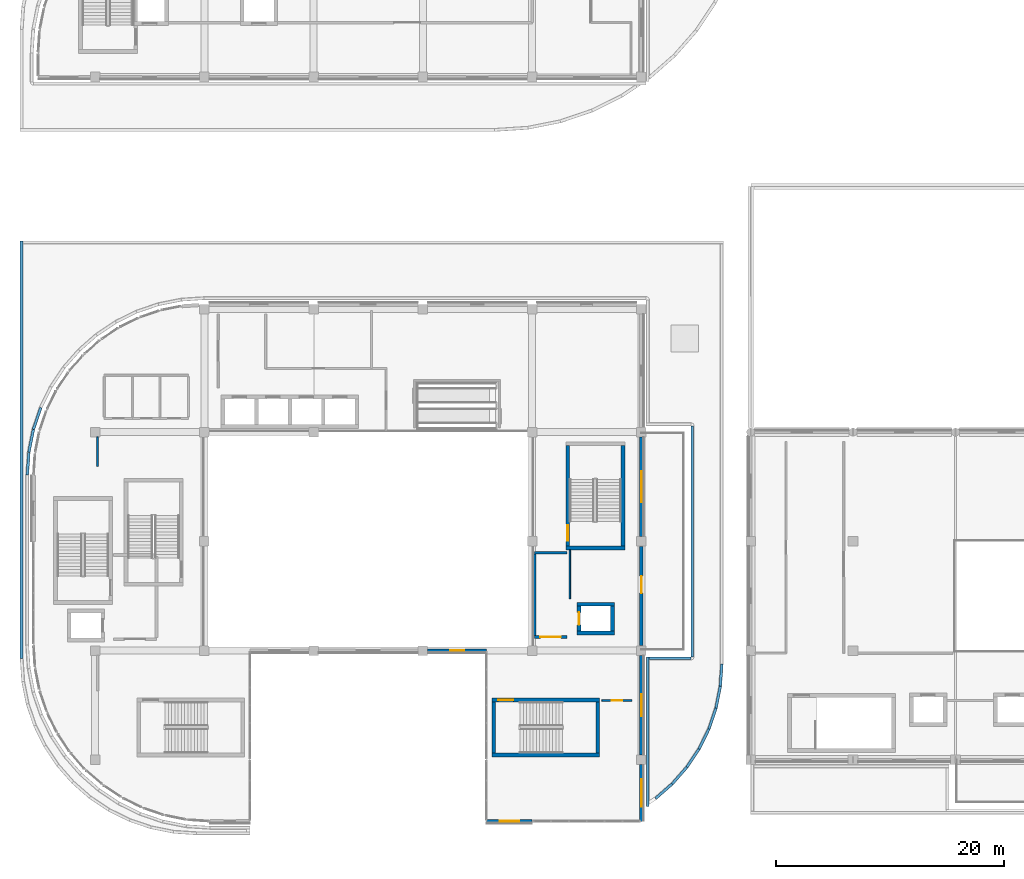
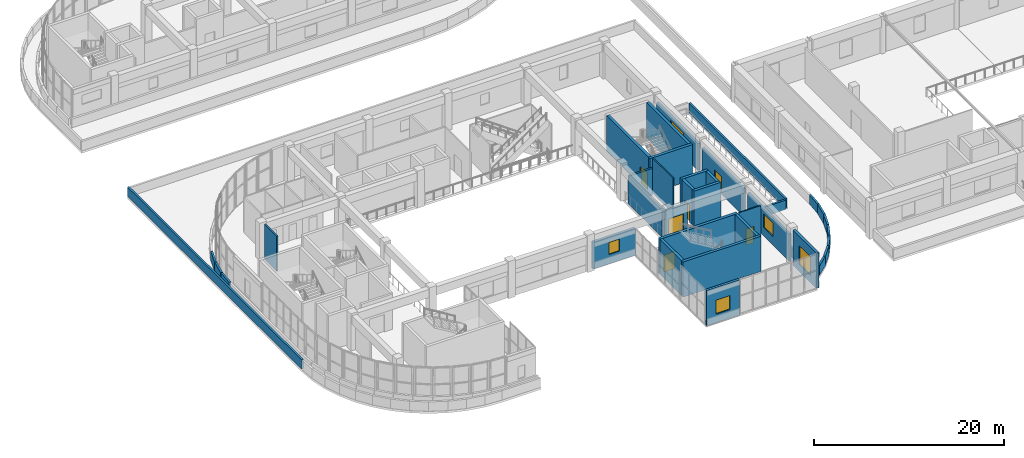
# One storey, part 42 of 67: 37 walls, 6 doors, 5 windows, 11 openings.
"""IFC4 building model written with IfcOpenShell, lengths in metres."""

from ifc_helpers import new_model, si_unit, direction, frame, frame_2d, origin, place, context, subcontext, project, spatial, rectangle, extrude, material, layer, layer_set, type_object, element, fill, save


model = new_model("IFC4")

# Units and contexts
model_context = context("Model", 3, precision=1e-05, world=origin(), true_north=direction((0.0, 1.0)))
body_context = subcontext(model_context, "Body", "Model", "MODEL_VIEW")
ifc_project = project(units=[si_unit("LENGTHUNIT", "METRE"), si_unit("AREAUNIT", "SQUARE_METRE"), si_unit("VOLUMEUNIT", "CUBIC_METRE"), si_unit("PLANEANGLEUNIT", "RADIAN"), si_unit("MASSUNIT", "GRAM", prefix="KILO")], contexts=[model_context])

# Site, building, storey
site_placement = place(None, origin())
site = spatial("IfcSite", under=ifc_project, at=site_placement, CompositionType="ELEMENT")
building_placement = place(site_placement, origin())
building = spatial("IfcBuilding", under=site, at=building_placement, Name="Cendralis Terraced Arcade", CompositionType="ELEMENT")
storey_placement = place(building_placement, frame((0.0, 0.0, 15.0)))
storey = spatial("IfcBuildingStorey", under=building, at=storey_placement, Name="L03", CompositionType="ELEMENT", Elevation=15.0)

# Wall
ifc_material_1 = material(Name="Concrete f'c 42 MPa", Category="concrete")
ifc_layer_1 = layer(ifc_material_1, 0.340087890625, Name="WL-CORE-340")
ifc_layer_set_1 = layer_set([ifc_layer_1], Name="Concrete f'c 42 MPa")
wall_type_1 = type_object("IfcWallType", Name="WL-CORE-340", PredefinedType="SHEAR", material=ifc_layer_set_1)
wall_1_placement = place(storey_placement, frame((44.4599609375, 10.030029296875, 0.0), z_axis=(0.0, 0.0, 1.0), x_axis=(1.0, 0.0, 0.0)))
element("IfcWall", 1, at=wall_1_placement, inside=storey, type_object=wall_type_1, Name="Stair Core Reinforced Concrete Shear Wall SW-ST-03-L03-S", PredefinedType="SHEAR", context=body_context, shape_type="SweptSolid", body=[
    extrude(rectangle(XDim=9.47998046875, YDim=0.340087890625, at=frame_2d((4.739990234375, 0.0))), origin(), (0.0, 0.0, 1.0), 4.52001953125),
])

# Wall, opening, door
wall_2_placement = place(storey_placement, frame((44.4599609375, 14.8701171875, 0.0), z_axis=(0.0, 0.0, 1.0), x_axis=(1.0, 0.0, 0.0)))
wall_2 = element("IfcWall", 2, at=wall_2_placement, inside=storey, type_object=wall_type_1, Name="Stair Core Reinforced Concrete Shear Wall SW-ST-03-L03-N", PredefinedType="SHEAR", context=body_context, shape_type="SweptSolid", body=[
    extrude(rectangle(XDim=9.47998046875, YDim=0.340087890625, at=frame_2d((4.739990234375, 0.0))), origin(), (0.0, 0.0, 1.0), 4.52001953125),
])
opening_1_placement = place(wall_2_placement, frame((0.550048828125, 0.0, 0.0)))
opening_1 = element("IfcOpeningElement", 3, at=opening_1_placement, cuts=wall_2, Name="Opening D-ST-03-L03", PredefinedType="OPENING", context=body_context, shape_type="SweptSolid", body=[
    extrude(rectangle(XDim=1.35009765625, YDim=2.199951171875, at=frame_2d((0.675048828125, 1.10009765625))), frame((0.0, 0.18212890625, 0.0), z_axis=(0.0, -1.0, 0.0), x_axis=(1.0, 0.0, 0.0)), (0.0, 0.0, 1.0), 0.364013671875),
])
ifc_material_2 = material(Name="Galvanised fire-rated steel door assembly", Category="steel")
door_type_1 = type_object("IfcDoorType", Name="ID-ST-1350x2200", OperationType="NOTDEFINED", PredefinedType="DOOR", material=ifc_material_2)
door_1_placement = place(opening_1_placement, frame((1.35009765625, 0.0, 0.0), z_axis=(0.0, 0.0, 1.0), x_axis=(-1.0, 0.0, 0.0)))
door_1 = element("IfcDoor", 4, at=door_1_placement, inside=storey, type_object=door_type_1, Name="Protected Stair ST-03 Fire Door (L03)", OperationType="SINGLE_SWING_LEFT", OverallHeight=2.199951171875, OverallWidth=1.35009765625, PredefinedType="DOOR", context=body_context, shape_type="SweptSolid", body=[
    extrude(rectangle(XDim=1.35009765625, YDim=2.199951171875, at=frame_2d((0.675048828125, 1.10009765625))), frame((0.0, 0.02490234375, 0.0), z_axis=(0.0, -1.0, 0.0), x_axis=(1.0, 0.0, 0.0)), (0.0, 0.0, 1.0), 0.050048828125),
])
fill(opening_1, door_1)

# Walls
for number, where, z_axis, x_axis, name in (
    (5, (53.77001953125, 10.199951171875, 0.0), (0.0, 0.0, 1.0), (0.0, 1.0, 0.0), "Stair Core Reinforced Concrete Shear Wall SW-ST-03-L03-E"),
    (6, (44.6298828125, 10.199951171875, 0.0), (0.0, 0.0, 1.0), (0.0, 1.0, 0.0), "Stair Core Reinforced Concrete Shear Wall SW-ST-03-L03-W"),
):
    element("IfcWall", number, at=place(storey_placement, frame(where, z_axis=z_axis, x_axis=x_axis)), inside=storey, type_object=wall_type_1, Name=name, PredefinedType="SHEAR", context=body_context, shape_type="SweptSolid", body=[
        extrude(rectangle(XDim=4.5, YDim=0.340087890625, at=frame_2d((2.25, 0.0))), origin(), (0.0, 0.0, 1.0), 4.52001953125),
    ])
wall_3_placement = place(storey_placement, frame((50.9599609375, 28.22998046875, 0.0), z_axis=(0.0, 0.0, 1.0), x_axis=(1.0, 0.0, 0.0)))
element("IfcWall", 7, at=wall_3_placement, inside=storey, type_object=wall_type_1, Name="Stair Core Reinforced Concrete Shear Wall SW-ST-04-L03-S", PredefinedType="SHEAR", context=body_context, shape_type="SweptSolid", body=[
    extrude(rectangle(XDim=5.179931640625, YDim=0.340087890625, at=frame_2d((2.58984375, 0.0))), origin(), (0.0, 0.0, 1.0), 4.52001953125),
])
wall_4_placement = place(storey_placement, frame((55.969970703125, 28.39990234375, 0.0), z_axis=(0.0, 0.0, 1.0), x_axis=(0.0, 1.0, 0.0)))
element("IfcWall", 8, at=wall_4_placement, inside=storey, type_object=wall_type_1, Name="Stair Core Reinforced Concrete Shear Wall SW-ST-04-L03-E", PredefinedType="SHEAR", context=body_context, shape_type="SweptSolid", body=[
    extrude(rectangle(XDim=8.800048828125, YDim=0.340087890625, at=frame_2d((4.39990234375, 0.0))), origin(), (0.0, 0.0, 1.0), 4.52001953125),
])

# Wall, opening, door
wall_5_placement = place(storey_placement, frame((51.1298828125, 28.39990234375, 0.0), z_axis=(0.0, 0.0, 1.0), x_axis=(0.0, 1.0, 0.0)))
wall_5 = element("IfcWall", 9, at=wall_5_placement, inside=storey, type_object=wall_type_1, Name="Stair Core Reinforced Concrete Shear Wall SW-ST-04-L03-W", PredefinedType="SHEAR", context=body_context, shape_type="SweptSolid", body=[
    extrude(rectangle(XDim=8.800048828125, YDim=0.340087890625, at=frame_2d((4.39990234375, 0.0))), origin(), (0.0, 0.0, 1.0), 4.52001953125),
])
opening_2_placement = place(wall_5_placement, frame((0.449951171875, 0.0, 0.0)))
opening_2 = element("IfcOpeningElement", 10, at=opening_2_placement, cuts=wall_5, Name="Opening D-ST-04-L03", PredefinedType="OPENING", context=body_context, shape_type="SweptSolid", body=[
    extrude(rectangle(XDim=1.35009765625, YDim=2.199951171875, at=frame_2d((0.675048828125, 1.10009765625))), frame((0.0, 0.18212890625, 0.0), z_axis=(0.0, -1.0, 0.0), x_axis=(1.0, 0.0, 0.0)), (0.0, 0.0, 1.0), 0.364013671875),
])
door_2_placement = place(opening_2_placement, frame((1.35009765625, 0.0, 0.0), z_axis=(0.0, 0.0, 1.0), x_axis=(-1.0, 0.0, 0.0)))
door_2 = element("IfcDoor", 11, at=door_2_placement, inside=storey, type_object=door_type_1, Name="Protected Stair ST-04 Fire Door (L03)", OperationType="SINGLE_SWING_LEFT", OverallHeight=2.199951171875, OverallWidth=1.35009765625, PredefinedType="DOOR", context=body_context, shape_type="SweptSolid", body=[
    extrude(rectangle(XDim=1.35009765625, YDim=2.199951171875, at=frame_2d((0.675048828125, 1.10009765625))), frame((0.0, 0.02490234375, 0.0), z_axis=(0.0, -1.0, 0.0), x_axis=(1.0, 0.0, 0.0)), (0.0, 0.0, 1.0), 0.050048828125),
])
fill(opening_2, door_2)

# Walls
for number, where, z_axis, x_axis, name in (
    (12, (51.9599609375, 20.72998046875, 0.0), (0.0, 0.0, 1.0), (1.0, 0.0, 0.0), "Lift FFL-02 Reinforced Concrete Shaft Wall (L03)"),
    (13, (51.9599609375, 23.27001953125, 0.0), (0.0, 0.0, 1.0), (1.0, 0.0, 0.0), "Lift FFL-02 Reinforced Concrete Shaft Wall (L03)"),
):
    element("IfcWall", number, at=place(storey_placement, frame(where, z_axis=z_axis, x_axis=x_axis)), inside=storey, type_object=wall_type_1, Name=name, PredefinedType="SHEAR", context=body_context, shape_type="SweptSolid", body=[
        extrude(rectangle(XDim=3.280029296875, YDim=0.340087890625, at=frame_2d((1.64013671875, 0.0))), origin(), (0.0, 0.0, 1.0), 4.52001953125),
    ])

# Wall, opening, door
wall_6_placement = place(storey_placement, frame((52.1298828125, 20.89990234375, 0.0), z_axis=(0.0, 0.0, 1.0), x_axis=(0.0, 1.0, 0.0)))
wall_6 = element("IfcWall", 14, at=wall_6_placement, inside=storey, type_object=wall_type_1, Name="Lift FFL-02 Reinforced Concrete Shaft Wall (L03)", PredefinedType="SHEAR", context=body_context, shape_type="SweptSolid", body=[
    extrude(rectangle(XDim=2.2001953125, YDim=0.340087890625, at=frame_2d((1.10009765625, 0.0))), origin(), (0.0, 0.0, 1.0), 4.52001953125),
])
opening_3_placement = place(wall_6_placement, frame((0.550048828125, 0.0, 0.0)))
opening_3 = element("IfcOpeningElement", 15, at=opening_3_placement, cuts=wall_6, Name="Opening LD-FFL-02-L03", PredefinedType="OPENING", context=body_context, shape_type="SweptSolid", body=[
    extrude(rectangle(XDim=1.10009765625, YDim=2.14990234375, at=frame_2d((0.550048828125, 1.074951171875))), frame((0.0, 0.18212890625, 0.0), z_axis=(0.0, -1.0, 0.0), x_axis=(1.0, 0.0, 0.0)), (0.0, 0.0, 1.0), 0.364013671875),
])
ifc_material_3 = material(Name="Anodised aluminium sliding door assembly", Category="aluminium")
door_type_2 = type_object("IfcDoorType", Name="ID-LD-FF-1100x2150", OperationType="DOUBLE_DOOR_SLIDING", PredefinedType="DOOR", material=ifc_material_3)
door_3_placement = place(opening_3_placement, origin())
door_3 = element("IfcDoor", 16, at=door_3_placement, inside=storey, type_object=door_type_2, Name="Lift FFL-02 Sliding Landing Door (L03)", OperationType="DOUBLE_DOOR_SLIDING", OverallHeight=2.14990234375, OverallWidth=1.10009765625, PredefinedType="DOOR", context=body_context, shape_type="SweptSolid", body=[
    extrude(rectangle(XDim=1.10009765625, YDim=2.14990234375, at=frame_2d((0.550048828125, 1.074951171875))), frame((0.0, 0.02490234375, 0.0), z_axis=(0.0, -1.0, 0.0), x_axis=(1.0, 0.0, 0.0)), (0.0, 0.0, 1.0), 0.050048828125),
])
fill(opening_3, door_3)

# Wall
wall_7_placement = place(storey_placement, frame((55.070068359375, 20.89990234375, 0.0), z_axis=(0.0, 0.0, 1.0), x_axis=(0.0, 1.0, 0.0)))
element("IfcWall", 17, at=wall_7_placement, inside=storey, type_object=wall_type_1, Name="Lift FFL-02 Reinforced Concrete Shaft Wall (L03)", PredefinedType="SHEAR", context=body_context, shape_type="SweptSolid", body=[
    extrude(rectangle(XDim=2.2001953125, YDim=0.340087890625, at=frame_2d((1.10009765625, 0.0))), origin(), (0.0, 0.0, 1.0), 4.52001953125),
])

# Wall, opening, window
ifc_material_4 = material(Name="Precast concrete f'c 40 MPa", Category="concrete")
ifc_layer_2 = layer(ifc_material_4, 0.300048828125, Name="WL-EXT-GRC-300")
ifc_layer_set_2 = layer_set([ifc_layer_2], Name="Precast concrete f'c 40 MPa")
wall_type_2 = type_object("IfcWallType", Name="WL-EXT-GRC-300", PredefinedType="SOLIDWALL", material=ifc_layer_set_2)
wall_8_placement = place(storey_placement, frame((57.60009765625, 37.97705078125, 0.0), z_axis=(0.0, 0.0, 1.0), x_axis=(0.0, -1.0, 0.0)))
wall_8 = element("IfcWall", 18, at=wall_8_placement, inside=storey, type_object=wall_type_2, Name="Exterior Architectural Wall EW-L03-0264", PredefinedType="SOLIDWALL", context=body_context, shape_type="SweptSolid", body=[
    extrude(rectangle(XDim=8.754150390625, YDim=0.300048828125, at=frame_2d((4.376953125, 0.0))), origin(), (0.0, 0.0, 1.0), 3.4599609375),
])
opening_4_placement = place(wall_8_placement, frame((3.027099609375, 0.0, 1.0)))
opening_4 = element("IfcOpeningElement", 19, at=opening_4_placement, cuts=wall_8, Name="Opening W-25", PredefinedType="OPENING", context=body_context, shape_type="SweptSolid", body=[
    extrude(rectangle(XDim=2.699951171875, YDim=2.0, at=frame_2d((1.35009765625, 1.0))), frame((0.0, 0.162109375, 0.0), z_axis=(0.0, -1.0, 0.0), x_axis=(1.0, 0.0, 0.0)), (0.0, 0.0, 1.0), 0.323974609375),
])
ifc_material_5 = material(Name="Tempered solar control laminated glass", Category="glass")
window_type_1 = type_object("IfcWindowType", Name="WN-F3-2700x2000", PartitioningType="SINGLE_PANEL", PredefinedType="WINDOW", material=ifc_material_5)
window_1_placement = place(opening_4_placement, origin())
window_1 = element("IfcWindow", 20, at=window_1_placement, inside=storey, type_object=window_type_1, Name="Exterior Solar-Control Window WN-L03-0172", OverallHeight=2.0, OverallWidth=2.699951171875, PartitioningType="SINGLE_PANEL", PredefinedType="WINDOW", context=body_context, shape_type="SweptSolid", body=[
    extrude(rectangle(XDim=2.699951171875, YDim=2.0, at=frame_2d((1.35009765625, 1.0))), frame((0.0, 0.030029296875, 0.0), z_axis=(0.0, -1.0, 0.0), x_axis=(1.0, 0.0, 0.0)), (0.0, 0.0, 1.0), 0.06005859375),
])
fill(opening_4, window_1)

# Wall, opening, door
wall_9_placement = place(storey_placement, frame((57.60009765625, 28.35009765625, 0.0), z_axis=(0.0, 0.0, 1.0), x_axis=(0.0, -1.0, 0.0)))
wall_9 = element("IfcWall", 21, at=wall_9_placement, inside=storey, type_object=wall_type_2, Name="Exterior Architectural Wall EW-L03-0265", PredefinedType="SOLIDWALL", context=body_context, shape_type="SweptSolid", body=[
    extrude(rectangle(XDim=8.7001953125, YDim=0.300048828125, at=frame_2d((4.35009765625, 0.0))), origin(), (0.0, 0.0, 1.0), 3.4599609375),
])
opening_5_placement = place(wall_9_placement, frame((2.60009765625, 0.0, 0.0)))
opening_5 = element("IfcOpeningElement", 22, at=opening_5_placement, cuts=wall_9, Name="Opening TD-L03-04", PredefinedType="OPENING", context=body_context, shape_type="SweptSolid", body=[
    extrude(rectangle(XDim=1.5, YDim=2.25, at=frame_2d((0.75, 1.125))), frame((0.0, 0.162109375, 0.0), z_axis=(0.0, -1.0, 0.0), x_axis=(1.0, 0.0, 0.0)), (0.0, 0.0, 1.0), 0.323974609375),
])
ifc_material_6 = material(Name="Powder-coated thermally broken aluminium and glass", Category="aluminium")
door_type_3 = type_object("IfcDoorType", Name="ED-TER-1500x2250", OperationType="DOUBLE_DOOR_SINGLE_SWING", PredefinedType="DOOR", material=ifc_material_6)
door_4_placement = place(opening_5_placement, origin())
door_4 = element("IfcDoor", 23, at=door_4_placement, inside=storey, type_object=door_type_3, Name="Planted Terrace Access Door TD-L03-04", OperationType="DOUBLE_DOOR_SINGLE_SWING", OverallHeight=2.25, OverallWidth=1.5, PredefinedType="DOOR", context=body_context, shape_type="SweptSolid", body=[
    extrude(rectangle(XDim=1.5, YDim=2.25, at=frame_2d((0.75, 1.125))), frame((0.0, 0.02490234375, 0.0), z_axis=(0.0, -1.0, 0.0), x_axis=(1.0, 0.0, 0.0)), (0.0, 0.0, 1.0), 0.050048828125),
])
fill(opening_5, door_4)

# Wall, opening, window
wall_10_placement = place(storey_placement, frame((57.60009765625, 18.777099609375, 0.0), z_axis=(0.0, 0.0, 1.0), x_axis=(0.0, -1.0, 0.0)))
wall_10 = element("IfcWall", 24, at=wall_10_placement, inside=storey, type_object=wall_type_2, Name="Exterior Architectural Wall EW-L03-0266", PredefinedType="SOLIDWALL", context=body_context, shape_type="SweptSolid", body=[
    extrude(rectangle(XDim=8.754150390625, YDim=0.300048828125, at=frame_2d((4.376953125, 0.0))), origin(), (0.0, 0.0, 1.0), 3.4599609375),
])
opening_6_placement = place(wall_10_placement, frame((3.402099609375, 0.0, 1.10009765625)))
opening_6 = element("IfcOpeningElement", 25, at=opening_6_placement, cuts=wall_10, Name="Opening W-27", PredefinedType="OPENING", context=body_context, shape_type="SweptSolid", body=[
    extrude(rectangle(XDim=1.949951171875, YDim=1.75, at=frame_2d((0.97509765625, 0.875))), frame((0.0, 0.162109375, 0.0), z_axis=(0.0, -1.0, 0.0), x_axis=(1.0, 0.0, 0.0)), (0.0, 0.0, 1.0), 0.323974609375),
])
window_type_2 = type_object("IfcWindowType", Name="WN-F3-1950x1750", PartitioningType="SINGLE_PANEL", PredefinedType="WINDOW", material=ifc_material_5)
window_2_placement = place(opening_6_placement, origin())
window_2 = element("IfcWindow", 26, at=window_2_placement, inside=storey, type_object=window_type_2, Name="Exterior Solar-Control Window WN-L03-0173", OverallHeight=1.75, OverallWidth=1.949951171875, PartitioningType="SINGLE_PANEL", PredefinedType="WINDOW", context=body_context, shape_type="SweptSolid", body=[
    extrude(rectangle(XDim=1.949951171875, YDim=1.75, at=frame_2d((0.97509765625, 0.875))), frame((0.0, 0.030029296875, 0.0), z_axis=(0.0, -1.0, 0.0), x_axis=(1.0, 0.0, 0.0)), (0.0, 0.0, 1.0), 0.06005859375),
])
fill(opening_6, window_2)

wall_11_placement = place(storey_placement, frame((57.60009765625, 9.177001953125, 0.0), z_axis=(0.0, 0.0, 1.0), x_axis=(0.0, -1.0, 0.0)))
wall_11 = element("IfcWall", 27, at=wall_11_placement, inside=storey, type_object=wall_type_2, Name="Exterior Architectural Wall EW-L03-0267", PredefinedType="SOLIDWALL", context=body_context, shape_type="SweptSolid", body=[
    extrude(rectangle(XDim=4.97705078125, YDim=0.300048828125, at=frame_2d((2.488525390625, 0.0))), origin(), (0.0, 0.0, 1.0), 4.52001953125),
])
opening_7_placement = place(wall_11_placement, frame((1.28857421875, 0.0, 0.89990234375)))
opening_7 = element("IfcOpeningElement", 28, at=opening_7_placement, cuts=wall_11, Name="Opening W-01", PredefinedType="OPENING", context=body_context, shape_type="SweptSolid", body=[
    extrude(rectangle(XDim=2.39990234375, YDim=2.39990234375, at=frame_2d((1.199951171875, 1.199951171875))), frame((0.0, 0.162109375, 0.0), z_axis=(0.0, -1.0, 0.0), x_axis=(1.0, 0.0, 0.0)), (0.0, 0.0, 1.0), 0.323974609375),
])
window_type_3 = type_object("IfcWindowType", Name="WN-F1-2400x2400", PartitioningType="SINGLE_PANEL", PredefinedType="WINDOW", material=ifc_material_5)
window_3_placement = place(opening_7_placement, origin())
window_3 = element("IfcWindow", 29, at=window_3_placement, inside=storey, type_object=window_type_3, Name="Exterior Solar-Control Window WN-L03-0174", OverallHeight=2.39990234375, OverallWidth=2.39990234375, PartitioningType="SINGLE_PANEL", PredefinedType="WINDOW", context=body_context, shape_type="SweptSolid", body=[
    extrude(rectangle(XDim=2.39990234375, YDim=2.39990234375, at=frame_2d((1.199951171875, 1.199951171875))), frame((0.0, 0.030029296875, 0.0), z_axis=(0.0, -1.0, 0.0), x_axis=(1.0, 0.0, 0.0)), (0.0, 0.0, 1.0), 0.06005859375),
])
fill(opening_7, window_3)

wall_12_placement = place(storey_placement, frame((48.0, 4.199951171875, 0.0), z_axis=(0.0, 0.0, 1.0), x_axis=(-1.0, 0.0, 0.0)))
wall_12 = element("IfcWall", 30, at=wall_12_placement, inside=storey, type_object=wall_type_2, Name="Exterior Architectural Wall EW-L03-0268", PredefinedType="SOLIDWALL", context=body_context, shape_type="SweptSolid", body=[
    extrude(rectangle(XDim=4.0, YDim=0.300048828125, at=frame_2d((2.0, 0.0))), origin(), (0.0, 0.0, 1.0), 4.52001953125),
])
opening_8_placement = place(wall_12_placement, frame((1.14990234375, 0.0, 1.10009765625)))
opening_8 = element("IfcOpeningElement", 31, at=opening_8_placement, cuts=wall_12, Name="Opening W-14", PredefinedType="OPENING", context=body_context, shape_type="SweptSolid", body=[
    extrude(rectangle(XDim=1.699951171875, YDim=1.800048828125, at=frame_2d((0.85009765625, 0.89990234375))), frame((0.0, 0.162109375, 0.0), z_axis=(0.0, -1.0, 0.0), x_axis=(1.0, 0.0, 0.0)), (0.0, 0.0, 1.0), 0.323974609375),
])
window_type_4 = type_object("IfcWindowType", Name="WN-F2-1700x1800", PartitioningType="SINGLE_PANEL", PredefinedType="WINDOW", material=ifc_material_5)
window_4_placement = place(opening_8_placement, origin())
window_4 = element("IfcWindow", 32, at=window_4_placement, inside=storey, type_object=window_type_4, Name="Exterior Solar-Control Window WN-L03-0175", OverallHeight=1.800048828125, OverallWidth=1.699951171875, PartitioningType="SINGLE_PANEL", PredefinedType="WINDOW", context=body_context, shape_type="SweptSolid", body=[
    extrude(rectangle(XDim=1.699951171875, YDim=1.800048828125, at=frame_2d((0.85009765625, 0.89990234375))), frame((0.0, 0.030029296875, 0.0), z_axis=(0.0, -1.0, 0.0), x_axis=(1.0, 0.0, 0.0)), (0.0, 0.0, 1.0), 0.06005859375),
])
fill(opening_8, window_4)

wall_13_placement = place(storey_placement, frame((44.0, 19.199951171875, 0.0), z_axis=(0.0, 0.0, 1.0), x_axis=(-1.0, 0.0, 0.0)))
wall_13 = element("IfcWall", 33, at=wall_13_placement, inside=storey, type_object=wall_type_2, Name="Exterior Architectural Wall EW-L03-0269", PredefinedType="SOLIDWALL", context=body_context, shape_type="SweptSolid", body=[
    extrude(rectangle(XDim=5.177001953125, YDim=0.300048828125, at=frame_2d((2.58837890625, 0.0))), origin(), (0.0, 0.0, 1.0), 3.4599609375),
])
opening_9_placement = place(wall_13_placement, frame((1.96337890625, 0.0, 1.199951171875)))
opening_9 = element("IfcOpeningElement", 34, at=opening_9_placement, cuts=wall_13, Name="Opening W-30", PredefinedType="OPENING", context=body_context, shape_type="SweptSolid", body=[
    extrude(rectangle(XDim=1.25, YDim=1.550048828125, at=frame_2d((0.625, 0.77490234375))), frame((0.0, 0.162109375, 0.0), z_axis=(0.0, -1.0, 0.0), x_axis=(1.0, 0.0, 0.0)), (0.0, 0.0, 1.0), 0.323974609375),
])
window_type_5 = type_object("IfcWindowType", Name="WN-F3-1250x1550", PartitioningType="SINGLE_PANEL", PredefinedType="WINDOW", material=ifc_material_5)
window_5_placement = place(opening_9_placement, origin())
window_5 = element("IfcWindow", 35, at=window_5_placement, inside=storey, type_object=window_type_5, Name="Exterior Solar-Control Window WN-L03-0176", OverallHeight=1.550048828125, OverallWidth=1.25, PartitioningType="SINGLE_PANEL", PredefinedType="WINDOW", context=body_context, shape_type="SweptSolid", body=[
    extrude(rectangle(XDim=1.25, YDim=1.550048828125, at=frame_2d((0.625, 0.77490234375))), frame((0.0, 0.030029296875, 0.0), z_axis=(0.0, -1.0, 0.0), x_axis=(1.0, 0.0, 0.0)), (0.0, 0.0, 1.0), 0.06005859375),
])
fill(opening_9, window_5)

# Wall, opening, door
ifc_material_7 = material(Name="Autoclaved aerated concrete blockwork", Category="masonry")
ifc_layer_3 = layer(ifc_material_7, 0.25, Name="WL-FFL-250")
ifc_layer_set_3 = layer_set([ifc_layer_3], Name="Autoclaved aerated concrete blockwork")
wall_type_3 = type_object("IfcWallType", Name="WL-FFL-250", PredefinedType="PARTITIONING", material=ifc_layer_set_3)
wall_14_placement = place(storey_placement, frame((48.199951171875, 20.39990234375, 0.0), z_axis=(0.0, 0.0, 1.0), x_axis=(1.0, 0.0, 0.0)))
wall_14 = element("IfcWall", 36, at=wall_14_placement, inside=storey, type_object=wall_type_3, Name="Firefighting Lift Lobby FFL-02 Rated Wall S (L03)", PredefinedType="PARTITIONING", context=body_context, shape_type="SweptSolid", body=[
    extrude(rectangle(XDim=2.85009765625, YDim=0.25, at=frame_2d((1.425048828125, 0.0))), origin(), (0.0, 0.0, 1.0), 3.4599609375),
])
opening_10_placement = place(wall_14_placement, frame((0.52001953125, 0.0, 0.0)))
opening_10 = element("IfcOpeningElement", 37, at=opening_10_placement, cuts=wall_14, Name="Opening D-FFL-02-L03-S", PredefinedType="OPENING", context=body_context, shape_type="SweptSolid", body=[
    extrude(rectangle(XDim=1.800048828125, YDim=2.25, at=frame_2d((0.89990234375, 1.125))), frame((0.0, 0.136962890625, 0.0), z_axis=(0.0, -1.0, 0.0), x_axis=(1.0, 0.0, 0.0)), (0.0, 0.0, 1.0), 0.27392578125),
])
door_type_4 = type_object("IfcDoorType", Name="ID-FFL-1800x2250", OperationType="DOUBLE_DOOR_SINGLE_SWING", PredefinedType="DOOR", material=ifc_material_2)
door_5_placement = place(opening_10_placement, origin())
door_5 = element("IfcDoor", 38, at=door_5_placement, inside=storey, type_object=door_type_4, Name="Firefighting Lift Lobby FFL-02 Rated Double Door (L03)", OperationType="DOUBLE_DOOR_SINGLE_SWING", OverallHeight=2.25, OverallWidth=1.800048828125, PredefinedType="DOOR", context=body_context, shape_type="SweptSolid", body=[
    extrude(rectangle(XDim=1.800048828125, YDim=2.25, at=frame_2d((0.89990234375, 1.125))), frame((0.0, 0.02490234375, 0.0), z_axis=(0.0, -1.0, 0.0), x_axis=(1.0, 0.0, 0.0)), (0.0, 0.0, 1.0), 0.050048828125),
])
fill(opening_10, door_5)

# Walls
wall_15_placement = place(storey_placement, frame((48.199951171875, 27.800048828125, 0.0), z_axis=(0.0, 0.0, 1.0), x_axis=(1.0, 0.0, 0.0)))
element("IfcWall", 39, at=wall_15_placement, inside=storey, type_object=wall_type_3, Name="Firefighting Lift Lobby FFL-02 Rated Wall N (L03)", PredefinedType="PARTITIONING", context=body_context, shape_type="SweptSolid", body=[
    extrude(rectangle(XDim=2.85009765625, YDim=0.25, at=frame_2d((1.425048828125, 0.0))), origin(), (0.0, 0.0, 1.0), 3.4599609375),
])
wall_16_placement = place(storey_placement, frame((48.199951171875, 20.530029296875, 0.0), z_axis=(0.0, 0.0, 1.0), x_axis=(0.0, 1.0, 0.0)))
element("IfcWall", 40, at=wall_16_placement, inside=storey, type_object=wall_type_3, Name="Firefighting Lift Lobby FFL-02 Rated Wall W (L03)", PredefinedType="PARTITIONING", context=body_context, shape_type="SweptSolid", body=[
    extrude(rectangle(XDim=7.139892578125, YDim=0.25, at=frame_2d((3.56982421875, 0.0))), origin(), (0.0, 0.0, 1.0), 3.4599609375),
])
ifc_layer_4 = layer(ifc_material_4, 0.22998046875, Name="WL-PAR-230")
ifc_layer_set_4 = layer_set([ifc_layer_4], Name="Precast concrete f'c 40 MPa")
wall_type_4 = type_object("IfcWallType", Name="WL-PAR-230", PredefinedType="PARAPET", material=ifc_layer_set_4)
wall_17_placement = place(storey_placement, frame((62.67822265625, 10.574951171875, 0.0), z_axis=(0.0, 0.0, 1.0), x_axis=(-0.555590048032, -0.831456371993, 0.0)))
element("IfcWall", 41, at=wall_17_placement, inside=storey, type_object=wall_type_4, Name="Precast Concrete Roof Parapet Wall PAR-L03-327", PredefinedType="PARAPET", context=body_context, shape_type="SweptSolid", body=[
    extrude(rectangle(XDim=1.962158203125, YDim=0.22998046875, at=frame_2d((0.98095703125, 0.0))), origin(), (0.0, 0.0, 1.0), 1.199951171875),
])
wall_18_placement = place(storey_placement, frame((61.598876953125, 8.95751953125, 0.0), z_axis=(0.0, 0.0, 1.0), x_axis=(-0.659367493455, -0.751820795519, 0.0)))
element("IfcWall", 42, at=wall_18_placement, inside=storey, type_object=wall_type_4, Name="Precast Concrete Roof Parapet Wall PAR-L03-328", PredefinedType="PARAPET", context=body_context, shape_type="SweptSolid", body=[
    extrude(rectangle(XDim=1.9619140625, YDim=0.22998046875, at=frame_2d((0.98095703125, 0.0))), origin(), (0.0, 0.0, 1.0), 1.199951171875),
])
wall_19_placement = place(storey_placement, frame((60.317626953125, 7.494873046875, 0.0), z_axis=(0.0, 0.0, 1.0), x_axis=(-0.751874886859, -0.659305812587, 0.0)))
element("IfcWall", 43, at=wall_19_placement, inside=storey, type_object=wall_type_4, Name="Precast Concrete Roof Parapet Wall PAR-L03-329", PredefinedType="PARAPET", context=body_context, shape_type="SweptSolid", body=[
    extrude(rectangle(XDim=1.962158203125, YDim=0.22998046875, at=frame_2d((0.98095703125, 0.0))), origin(), (0.0, 0.0, 1.0), 1.199951171875),
])
wall_20_placement = place(storey_placement, frame((58.155029296875, 5.49072265625, 0.0), z_axis=(0.0, 0.0, 1.0), x_axis=(0.0, 1.0, 0.0)))
element("IfcWall", 44, at=wall_20_placement, inside=storey, type_object=wall_type_4, Name="Precast Concrete Roof Parapet Wall PAR-L03-330", PredefinedType="PARAPET", context=body_context, shape_type="SweptSolid", body=[
    extrude(rectangle(XDim=13.1591796875, YDim=0.22998046875, at=frame_2d((6.57958984375, 0.0))), origin(), (0.0, 0.0, 1.0), 1.199951171875),
])
wall_21_placement = place(storey_placement, frame((58.2900390625, 18.514892578125, 0.0), z_axis=(0.0, 0.0, 1.0), x_axis=(1.0, 0.0, 0.0)))
element("IfcWall", 45, at=wall_21_placement, inside=storey, type_object=wall_type_4, Name="Precast Concrete Roof Parapet Wall PAR-L03-331", PredefinedType="PARAPET", context=body_context, shape_type="SweptSolid", body=[
    extrude(rectangle(XDim=3.659912109375, YDim=0.22998046875, at=frame_2d((1.830078125, 0.0))), origin(), (0.0, 0.0, 1.0), 1.199951171875),
])
wall_22_placement = place(storey_placement, frame((62.0849609375, 18.64990234375, 0.0), z_axis=(0.0, 0.0, 1.0), x_axis=(0.0, 1.0, 0.0)))
element("IfcWall", 46, at=wall_22_placement, inside=storey, type_object=wall_type_4, Name="Precast Concrete Roof Parapet Wall PAR-L03-332", PredefinedType="PARAPET", context=body_context, shape_type="SweptSolid", body=[
    extrude(rectangle(XDim=20.300048828125, YDim=0.22998046875, at=frame_2d((10.14990234375, 0.0))), origin(), (0.0, 0.0, 1.0), 1.199951171875),
])
wall_23_placement = place(storey_placement, frame((4.8251953125, 40.544921875, 0.0), z_axis=(0.0, 0.0, 1.0), x_axis=(-0.321414553738, -0.946938585467, 0.0)))
element("IfcWall", 47, at=wall_23_placement, inside=storey, type_object=wall_type_4, Name="Precast Concrete Roof Parapet Wall PAR-L03-345", PredefinedType="PARAPET", context=body_context, shape_type="SweptSolid", body=[
    extrude(rectangle(XDim=2.017333984375, YDim=0.22998046875, at=frame_2d((1.0087890625, 0.0))), origin(), (0.0, 0.0, 1.0), 1.199951171875),
])
wall_24_placement = place(storey_placement, frame((4.172119140625, 38.617431640625, 0.0), z_axis=(0.0, 0.0, 1.0), x_axis=(-0.195115132196, -0.980780345025, 0.0)))
element("IfcWall", 48, at=wall_24_placement, inside=storey, type_object=wall_type_4, Name="Precast Concrete Roof Parapet Wall PAR-L03-346", PredefinedType="PARAPET", context=body_context, shape_type="SweptSolid", body=[
    extrude(rectangle(XDim=2.01708984375, YDim=0.22998046875, at=frame_2d((1.008544921875, 0.0))), origin(), (0.0, 0.0, 1.0), 1.199951171875),
])
wall_25_placement = place(storey_placement, frame((3.7763671875, 36.62158203125, 0.0), z_axis=(0.0, 0.0, 1.0), x_axis=(-0.06544318898, -0.997856296776, 0.0)))
element("IfcWall", 49, at=wall_25_placement, inside=storey, type_object=wall_type_4, Name="Precast Concrete Roof Parapet Wall PAR-L03-347", PredefinedType="PARAPET", context=body_context, shape_type="SweptSolid", body=[
    extrude(rectangle(XDim=2.00341796875, YDim=0.22998046875, at=frame_2d((1.001708984375, 0.0))), origin(), (0.0, 0.0, 1.0), 1.199951171875),
])
wall_26_placement = place(storey_placement, frame((3.135009765625, 18.5, 0.0), z_axis=(0.0, 0.0, 1.0), x_axis=(0.0, 1.0, 0.0)))
element("IfcWall", 50, at=wall_26_placement, inside=storey, type_object=wall_type_4, Name="Precast Concrete Roof Parapet Wall PAR-L03-375", PredefinedType="PARAPET", context=body_context, shape_type="SweptSolid", body=[
    extrude(rectangle(XDim=36.699951171875, YDim=0.22998046875, at=frame_2d((18.35009765625, 0.0))), origin(), (0.0, 0.0, 1.0), 1.199951171875),
])
wall_27_placement = place(storey_placement, frame((64.665283203125, 18.0087890625, 0.0), z_axis=(0.0, 0.0, 1.0), x_axis=(-0.065321538715, -0.997864267614, 0.0)))
element("IfcWall", 51, at=wall_27_placement, inside=storey, type_object=wall_type_4, Name="Precast Concrete Roof Parapet Wall PAR-L03-378", PredefinedType="PARAPET", context=body_context, shape_type="SweptSolid", body=[
    extrude(rectangle(XDim=1.962158203125, YDim=0.22998046875, at=frame_2d((0.98095703125, 0.0))), origin(), (0.0, 0.0, 1.0), 1.199951171875),
])
wall_28_placement = place(storey_placement, frame((64.539306640625, 16.068359375, 0.0), z_axis=(0.0, 0.0, 1.0), x_axis=(-0.19511099609, -0.980781167848, 0.0)))
element("IfcWall", 52, at=wall_28_placement, inside=storey, type_object=wall_type_4, Name="Precast Concrete Roof Parapet Wall PAR-L03-379", PredefinedType="PARAPET", context=body_context, shape_type="SweptSolid", body=[
    extrude(rectangle(XDim=1.9619140625, YDim=0.22998046875, at=frame_2d((0.98095703125, 0.0))), origin(), (0.0, 0.0, 1.0), 1.199951171875),
])
wall_29_placement = place(storey_placement, frame((64.1611328125, 14.1611328125, 0.0), z_axis=(0.0, 0.0, 1.0), x_axis=(-0.321374047672, -0.946952333269, 0.0)))
element("IfcWall", 53, at=wall_29_placement, inside=storey, type_object=wall_type_4, Name="Precast Concrete Roof Parapet Wall PAR-L03-380", PredefinedType="PARAPET", context=body_context, shape_type="SweptSolid", body=[
    extrude(rectangle(XDim=1.962158203125, YDim=0.22998046875, at=frame_2d((0.98095703125, 0.0))), origin(), (0.0, 0.0, 1.0), 1.199951171875),
])
wall_30_placement = place(storey_placement, frame((63.537109375, 12.3193359375, 0.0), z_axis=(0.0, 0.0, 1.0), x_axis=(-0.442378865867, -0.896828266188, 0.0)))
element("IfcWall", 54, at=wall_30_placement, inside=storey, type_object=wall_type_4, Name="Precast Concrete Roof Parapet Wall PAR-L03-381", PredefinedType="PARAPET", context=body_context, shape_type="SweptSolid", body=[
    extrude(rectangle(XDim=1.9619140625, YDim=0.22998046875, at=frame_2d((0.98095703125, 0.0))), origin(), (0.0, 0.0, 1.0), 1.199951171875),
])
ifc_material_8 = material(Name="Gypsum plasterboard acoustic partition", Category="concrete")
ifc_layer_5 = layer(ifc_material_8, 0.137939453125, Name="WL-PART-138")
ifc_layer_set_5 = layer_set([ifc_layer_5], Name="Gypsum plasterboard acoustic partition")
wall_type_5 = type_object("IfcWallType", Name="WL-PART-138", PredefinedType="PARTITIONING", material=ifc_layer_set_5)
wall_31_placement = place(storey_placement, frame((51.31005859375, 23.744873046875, 0.0), z_axis=(0.0, 0.0, 1.0), x_axis=(0.0, 1.0, 0.0)))
element("IfcWall", 55, at=wall_31_placement, inside=storey, type_object=wall_type_5, Name="Interior Partition Wall IW-L03-0535", PredefinedType="PARTITIONING", context=body_context, shape_type="SweptSolid", body=[
    extrude(rectangle(XDim=4.315185546875, YDim=0.137939453125, at=frame_2d((2.15771484375, 0.0))), origin(), (0.0, 0.0, 1.0), 4.52001953125),
])

# Wall, opening, door
ifc_layer_6 = layer(ifc_material_8, 0.14501953125, Name="WL-PART-145")
ifc_layer_set_6 = layer_set([ifc_layer_6], Name="Gypsum plasterboard acoustic partition")
wall_type_6 = type_object("IfcWallType", Name="WL-PART-145", PredefinedType="PARTITIONING", material=ifc_layer_set_6)
wall_32_placement = place(storey_placement, frame((54.126220703125, 14.820068359375, 0.0), z_axis=(0.0, 0.0, 1.0), x_axis=(1.0, 0.0, 0.0)))
wall_32 = element("IfcWall", 56, at=wall_32_placement, inside=storey, type_object=wall_type_6, Name="Interior Partition Wall IW-L03-0534", PredefinedType="PARTITIONING", context=body_context, shape_type="SweptSolid", body=[
    extrude(rectangle(XDim=2.6337890625, YDim=0.14501953125, at=frame_2d((1.31689453125, 0.0))), origin(), (0.0, 0.0, 1.0), 4.52001953125),
])
opening_11_placement = place(wall_32_placement, frame((0.85693359375, 0.0, 0.0)))
opening_11 = element("IfcOpeningElement", 57, at=opening_11_placement, cuts=wall_32, Name="Opening D-L03-142", PredefinedType="OPENING", context=body_context, shape_type="SweptSolid", body=[
    extrude(rectangle(XDim=0.919921875, YDim=2.10009765625, at=frame_2d((0.4599609375, 1.050048828125))), frame((0.0, 0.08447265625, 0.0), z_axis=(0.0, -1.0, 0.0), x_axis=(1.0, 0.0, 0.0)), (0.0, 0.0, 1.0), 0.1689453125),
])
ifc_material_9 = material(Name="Solid core Andean oak veneer door leaf", Category="aluminium")
door_type_5 = type_object("IfcDoorType", Name="ID-RM-0920x2100", OperationType="NOTDEFINED", PredefinedType="DOOR", material=ifc_material_9)
door_6_placement = place(opening_11_placement, origin())
door_6 = element("IfcDoor", 58, at=door_6_placement, inside=storey, type_object=door_type_5, Name="Travel Goods and Watchmaker Salon Door D-L03-142", OperationType="SINGLE_SWING_LEFT", OverallHeight=2.10009765625, OverallWidth=0.919921875, PredefinedType="DOOR", context=body_context, shape_type="SweptSolid", body=[
    extrude(rectangle(XDim=0.919921875, YDim=2.10009765625, at=frame_2d((0.4599609375, 1.050048828125))), frame((0.0, 0.02490234375, 0.0), z_axis=(0.0, -1.0, 0.0), x_axis=(1.0, 0.0, 0.0)), (0.0, 0.0, 1.0), 0.050048828125),
])
fill(opening_11, door_6)

# Wall
ifc_layer_7 = layer(ifc_material_8, 0.154052734375, Name="WL-PART-154")
ifc_layer_set_7 = layer_set([ifc_layer_7], Name="Gypsum plasterboard acoustic partition")
wall_type_7 = type_object("IfcWallType", Name="WL-PART-154", PredefinedType="PARTITIONING", material=ifc_layer_set_7)
wall_33_placement = place(storey_placement, frame((9.820068359375, 37.97509765625, 0.0), z_axis=(0.0, 0.0, 1.0), x_axis=(0.0, -1.0, 0.0)))
element("IfcWall", 59, at=wall_33_placement, inside=storey, type_object=wall_type_7, Name="Interior Partition Wall IW-L03-0533", PredefinedType="PARTITIONING", context=body_context, shape_type="SweptSolid", body=[
    extrude(rectangle(XDim=2.59521484375, YDim=0.154052734375, at=frame_2d((1.297607421875, 0.0))), origin(), (0.0, 0.0, 1.0), 4.52001953125),
])

save(model, "model.ifc")
